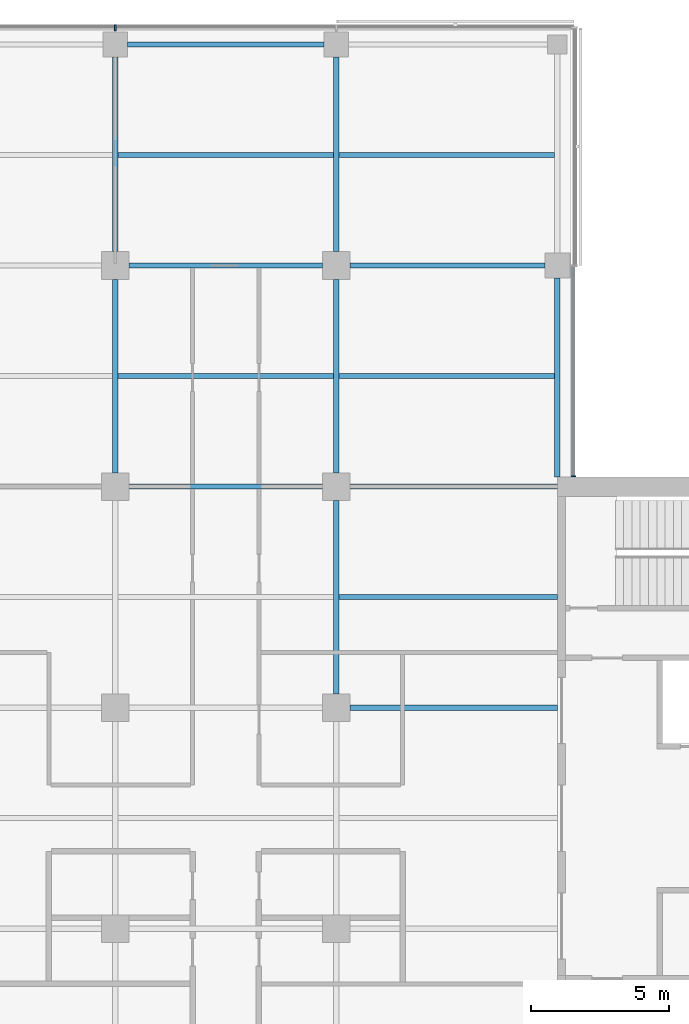
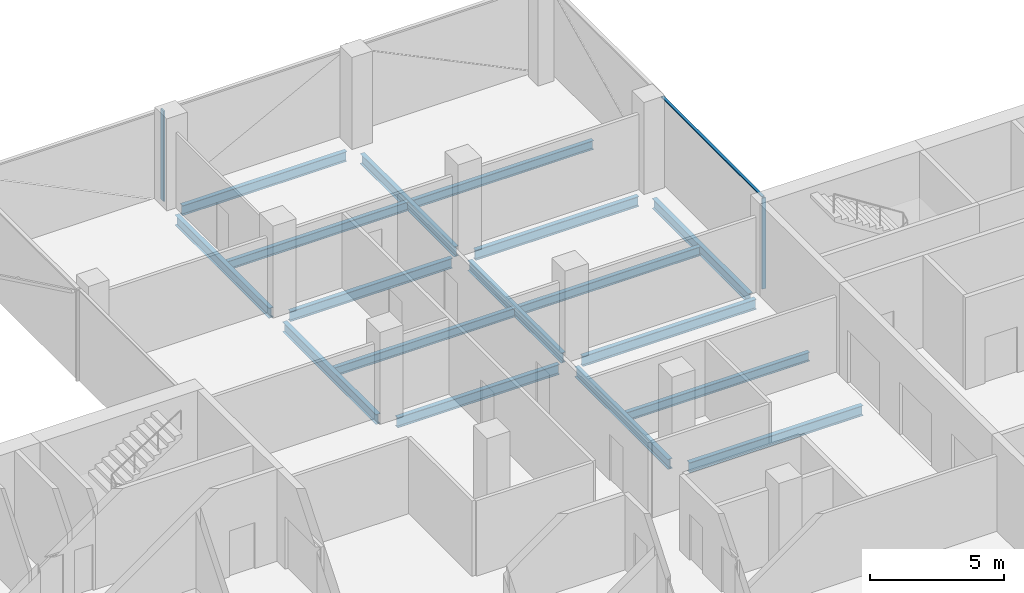
# One storey, part 9 of 22: 17 beams, 3 members, 2 elements without a shape of their own.
"""IFC4 building model written with IfcOpenShell, lengths in metres."""

from ifc_helpers import new_model, si_unit, direction, frame, origin, origin_2d, place, context, subcontext, project, spatial, rectangle, i_section, extrude, material, material_profile, profile_set, type_object, element, aggregate, save


model = new_model("IFC4")

# Units and contexts
model_context = context("Model", 3, precision=1e-05, world=origin(), true_north=direction((0.0, 1.0)))
body_context = subcontext(model_context, "Body", "Model", "MODEL_VIEW")
ifc_project = project(units=[si_unit("LENGTHUNIT", "METRE"), si_unit("AREAUNIT", "SQUARE_METRE"), si_unit("VOLUMEUNIT", "CUBIC_METRE"), si_unit("PLANEANGLEUNIT", "RADIAN"), si_unit("MASSUNIT", "GRAM", prefix="KILO")], contexts=[model_context])

# Site, building, storey
site_placement = place(None, origin())
site = spatial("IfcSite", under=ifc_project, at=site_placement, CompositionType="ELEMENT")
building_placement = place(site_placement, origin())
building = spatial("IfcBuilding", under=site, at=building_placement, Name="Crosswind Convention Tower", CompositionType="ELEMENT")
storey_placement = place(building_placement, frame((0.0, 0.0, 158.89990234375)))
storey = spatial("IfcBuildingStorey", under=building, at=storey_placement, Name="L33", CompositionType="ELEMENT", Elevation=158.89990234375)

# Beams
ifc_material_1 = material(Name="Steel S355", Category="steel")
ifc_material_profile_1 = material_profile(ifc_material_1, i_section(OverallWidth=0.18994140625, OverallDepth=0.45361328125, WebThickness=0.008544921875, FlangeThickness=0.0126953125, FilletRadius=0.01025390625, at=origin_2d()), Name="UB 457x191x67")
ifc_profile_set_1 = profile_set([ifc_material_profile_1], Name="Steel S355")
beam_type_1 = type_object("IfcBeamType", Name="Edge beam UB 457x191x67", PredefinedType="SPANDREL", material=ifc_profile_set_1)
beam_1_placement = place(storey_placement, frame((121.449951171875, 128.0, -0.526611328125), z_axis=(1.0, 0.0, 0.0), x_axis=(0.0, 1.0, 0.0)))
element("IfcBeam", 1, at=beam_1_placement, inside=storey, type_object=beam_type_1, Name="B16 L33 edge beam 13", PredefinedType="SPANDREL", context=body_context, shape_type="SweptSolid", body=[
    extrude(i_section(OverallWidth=0.18994140625, OverallDepth=0.45361328125, WebThickness=0.008544921875, FlangeThickness=0.0126953125, FilletRadius=0.01025390625, at=origin_2d()), origin(), (0.0, 0.0, 1.0), 7.10009765625),
])
beam_2_placement = place(storey_placement, frame((137.0, 112.35009765625, -0.526611328125), z_axis=(0.0, 1.0, 0.0), x_axis=(-1.0, 0.0, 0.0)))
element("IfcBeam", 2, at=beam_2_placement, inside=storey, type_object=beam_type_1, Name="B16 L33 edge beam 18", PredefinedType="SPANDREL", context=body_context, shape_type="SweptSolid", body=[
    extrude(i_section(OverallWidth=0.18994140625, OverallDepth=0.45361328125, WebThickness=0.008544921875, FlangeThickness=0.0126953125, FilletRadius=0.01025390625, at=origin_2d()), origin(), (0.0, 0.0, 1.0), 7.199951171875),
])
ifc_material_profile_2 = material_profile(ifc_material_1, i_section(OverallWidth=0.19140625, OverallDepth=0.460205078125, WebThickness=0.010009765625, FlangeThickness=0.01611328125, FilletRadius=0.01025390625, at=origin_2d()), Name="UB 457x191x82")
ifc_profile_set_2 = profile_set([ifc_material_profile_2], Name="Steel S355")
beam_type_2 = type_object("IfcBeamType", Name="Girder UB 457x191x82", PredefinedType="BEAM", material=ifc_profile_set_2)
beam_3_placement = place(storey_placement, frame((121.0, 112.5, -0.530029296875), z_axis=(0.0, 1.0, 0.0), x_axis=(-1.0, 0.0, 0.0)))
element("IfcBeam", 3, at=beam_3_placement, inside=storey, type_object=beam_type_2, Name="B3 L33 girder 8", PredefinedType="BEAM", context=body_context, shape_type="SweptSolid", body=[
    extrude(i_section(OverallWidth=0.19140625, OverallDepth=0.460205078125, WebThickness=0.010009765625, FlangeThickness=0.01611328125, FilletRadius=0.01025390625, at=origin_2d()), origin(), (0.0, 0.0, 1.0), 7.0),
])
beam_4_placement = place(storey_placement, frame((121.0, 120.5, -0.530029296875), z_axis=(0.0, 1.0, 0.0), x_axis=(-1.0, 0.0, 0.0)))
element("IfcBeam", 4, at=beam_4_placement, inside=storey, type_object=beam_type_2, Name="B3 L33 girder 9", PredefinedType="BEAM", context=body_context, shape_type="SweptSolid", body=[
    extrude(i_section(OverallWidth=0.19140625, OverallDepth=0.460205078125, WebThickness=0.010009765625, FlangeThickness=0.01611328125, FilletRadius=0.01025390625, at=origin_2d()), origin(), (0.0, 0.0, 1.0), 7.050048828125),
])
for number, where, z_axis, x_axis, name in (
    (5, (121.5, 112.0, -0.530029296875), (1.0, 0.0, 0.0), (0.0, 1.0, 0.0), "B3 L33 girder 14"),
    (6, (121.5, 120.0, -0.530029296875), (1.0, 0.0, 0.0), (0.0, 1.0, 0.0), "B3 L33 girder 15"),
    (7, (129.0, 104.5, -0.530029296875), (0.0, 1.0, 0.0), (-1.0, 0.0, 0.0), "B3 L33 girder 20"),
    (8, (129.0, 112.5, -0.530029296875), (0.0, 1.0, 0.0), (-1.0, 0.0, 0.0), "B3 L33 girder 21"),
):
    element("IfcBeam", number, at=place(storey_placement, frame(where, z_axis=z_axis, x_axis=x_axis)), inside=storey, type_object=beam_type_2, Name=name, PredefinedType="BEAM", context=body_context, shape_type="SweptSolid", body=[
        extrude(i_section(OverallWidth=0.19140625, OverallDepth=0.460205078125, WebThickness=0.010009765625, FlangeThickness=0.01611328125, FilletRadius=0.01025390625, at=origin_2d()), origin(), (0.0, 0.0, 1.0), 7.0),
    ])
for number, where, z_axis, x_axis, name in (
    (9, (129.0, 120.5, -0.530029296875), (0.0, 1.0, 0.0), (-1.0, 0.0, 0.0), "B3 L33 girder 22"),
    (10, (129.5, 120.0, -0.530029296875), (1.0, 0.0, 0.0), (0.0, 1.0, 0.0), "B3 L33 girder 24"),
):
    element("IfcBeam", number, at=place(storey_placement, frame(where, z_axis=z_axis, x_axis=x_axis)), inside=storey, type_object=beam_type_2, Name=name, PredefinedType="BEAM", context=body_context, shape_type="SweptSolid", body=[
        extrude(i_section(OverallWidth=0.19140625, OverallDepth=0.460205078125, WebThickness=0.010009765625, FlangeThickness=0.01611328125, FilletRadius=0.01025390625, at=origin_2d()), origin(), (0.0, 0.0, 1.0), 7.050048828125),
    ])
ifc_material_profile_3 = material_profile(ifc_material_1, i_section(OverallWidth=0.19189453125, OverallDepth=0.463623046875, WebThickness=0.010498046875, FlangeThickness=0.017578125, FilletRadius=0.01025390625, at=origin_2d()), Name="UB 457x191x90")
ifc_profile_set_3 = profile_set([ifc_material_profile_3], Name="Steel S355")
beam_type_3 = type_object("IfcBeamType", Name="Girder at core wall UB 457x191x90", PredefinedType="BEAM", material=ifc_profile_set_3)
for number, where, z_axis, x_axis, name in (
    (11, (129.5, 104.0, -0.53173828125), (1.0, 0.0, 0.0), (0.0, 1.0, 0.0), "B24 L33 girder at core wall 9"),
    (12, (129.5, 112.0, -0.53173828125), (1.0, 0.0, 0.0), (0.0, 1.0, 0.0), "B24 L33 girder at core wall 10"),
):
    element("IfcBeam", number, at=place(storey_placement, frame(where, z_axis=z_axis, x_axis=x_axis)), inside=storey, type_object=beam_type_3, Name=name, PredefinedType="BEAM", context=body_context, shape_type="SweptSolid", body=[
        extrude(i_section(OverallWidth=0.19189453125, OverallDepth=0.463623046875, WebThickness=0.010498046875, FlangeThickness=0.017578125, FilletRadius=0.01025390625, at=origin_2d()), origin(), (0.0, 0.0, 1.0), 7.5),
    ])

# Curtain wall, member
ifc_material_2 = material(Name="Aluminium unitised curtain wall", Category="aluminium")
curtain_wall_type_1 = type_object("IfcCurtainWallType", Name="CORE END SLOT WALL 160", PredefinedType="USERDEFINED", material=ifc_material_2)
curtain_wall_1_placement = place(storey_placement, origin())
curtain_wall_1 = element("IfcCurtainWall", 13, at=curtain_wall_1_placement, inside=storey, type_object=curtain_wall_type_1, Name="CW6 L33 N-E.1-1 slot", ObjectType="UNITISED", PredefinedType="USERDEFINED")
ifc_material_3 = material(Name="Aluminium mullion", Category="aluminium")
ifc_material_profile_4 = material_profile(ifc_material_3, rectangle(XDim=0.159912109375, YDim=0.050048828125, at=origin_2d()), Name="AL 160X50")
ifc_profile_set_4 = profile_set([ifc_material_profile_4], Name="Aluminium mullion")
member_type_1 = type_object("IfcMemberType", Name="MULLION 50X160", PredefinedType="MULLION", material=ifc_profile_set_4)
member_1_placement = place(storey_placement, frame((137.580078125, 112.375, -0.2998046875), z_axis=(0.0, 0.0, 1.0), x_axis=(1.0, 0.0, 0.0)))
member_1 = element("IfcMember", 14, at=member_1_placement, type_object=member_type_1, Name="CW6 mullion 1", PredefinedType="MULLION", context=body_context, shape_type="SweptSolid", body=[
    extrude(rectangle(XDim=0.159912109375, YDim=0.050048828125, at=origin_2d()), origin(), (0.0, 0.0, 1.0), 4.14990234375),
])

curtain_wall_type_2 = type_object("IfcCurtainWallType", Name="OFFICE UNITISED WALL 220", PredefinedType="USERDEFINED", material=ifc_material_2)
curtain_wall_2_placement = place(storey_placement, origin())
curtain_wall_2 = element("IfcCurtainWall", 15, at=curtain_wall_2_placement, inside=storey, type_object=curtain_wall_type_2, Name="CW3 L33 N-TIP 1", ObjectType="UNITISED", PredefinedType="USERDEFINED")
ifc_material_profile_5 = material_profile(ifc_material_3, rectangle(XDim=0.219970703125, YDim=0.070068359375, at=origin_2d()), Name="AL 220X70")
ifc_profile_set_5 = profile_set([ifc_material_profile_5], Name="Aluminium mullion")
member_type_2 = type_object("IfcMemberType", Name="MULLION 70X220", PredefinedType="MULLION", material=ifc_profile_set_5)
member_2_placement = place(storey_placement, frame((121.0, 128.610107421875, -0.2998046875), z_axis=(0.0, 0.0, 1.0), x_axis=(0.0, 1.0, 0.0)))
member_2 = element("IfcMember", 16, at=member_2_placement, type_object=member_type_2, Name="CW3 mullion 3", PredefinedType="MULLION", context=body_context, shape_type="SweptSolid", body=[
    extrude(rectangle(XDim=0.219970703125, YDim=0.070068359375, at=origin_2d()), origin(), (0.0, 0.0, 1.0), 4.1298828125),
])
aggregate(curtain_wall_2, [member_2])

# Beams
ifc_material_profile_6 = material_profile(ifc_material_1, i_section(OverallWidth=0.177734375, OverallDepth=0.406494140625, WebThickness=0.0078125, FlangeThickness=0.0126953125, FilletRadius=0.01025390625, at=origin_2d()), Name="UB 406x178x60")
ifc_profile_set_6 = profile_set([ifc_material_profile_6], Name="Steel S355")
beam_type_4 = type_object("IfcBeamType", Name="Secondary beam UB 406x178x60", PredefinedType="JOIST", material=ifc_profile_set_6)
for number, where, z_axis, x_axis, name in (
    (17, (121.095703125, 116.0, -0.503173828125), (1.0, 0.0, 0.0), (0.0, 1.0, 0.0), "B10 L33 secondary beam 16"),
    (18, (121.095703125, 124.0, -0.503173828125), (1.0, 0.0, 0.0), (0.0, 1.0, 0.0), "B10 L33 secondary beam 17"),
):
    element("IfcBeam", number, at=place(storey_placement, frame(where, z_axis=z_axis, x_axis=x_axis)), inside=storey, type_object=beam_type_4, Name=name, PredefinedType="JOIST", context=body_context, shape_type="SweptSolid", body=[
        extrude(i_section(OverallWidth=0.177734375, OverallDepth=0.406494140625, WebThickness=0.0078125, FlangeThickness=0.0126953125, FilletRadius=0.01025390625, at=origin_2d()), origin(), (0.0, 0.0, 1.0), 7.80859375),
    ])
beam_5_placement = place(storey_placement, frame((129.095703125, 108.0, -0.503173828125), z_axis=(1.0, 0.0, 0.0), x_axis=(0.0, 1.0, 0.0)))
element("IfcBeam", 19, at=beam_5_placement, inside=storey, type_object=beam_type_4, Name="B10 L33 secondary beam 22", PredefinedType="JOIST", context=body_context, shape_type="SweptSolid", body=[
    extrude(i_section(OverallWidth=0.177734375, OverallDepth=0.406494140625, WebThickness=0.0078125, FlangeThickness=0.0126953125, FilletRadius=0.01025390625, at=origin_2d()), origin(), (0.0, 0.0, 1.0), 7.904296875),
])
for number, where, z_axis, x_axis, name in (
    (20, (129.095703125, 116.0, -0.503173828125), (1.0, 0.0, 0.0), (0.0, 1.0, 0.0), "B10 L33 secondary beam 23"),
    (21, (129.095703125, 124.0, -0.503173828125), (1.0, 0.0, 0.0), (0.0, 1.0, 0.0), "B10 L33 secondary beam 24"),
):
    element("IfcBeam", number, at=place(storey_placement, frame(where, z_axis=z_axis, x_axis=x_axis)), inside=storey, type_object=beam_type_4, Name=name, PredefinedType="JOIST", context=body_context, shape_type="SweptSolid", body=[
        extrude(i_section(OverallWidth=0.177734375, OverallDepth=0.406494140625, WebThickness=0.0078125, FlangeThickness=0.0126953125, FilletRadius=0.01025390625, at=origin_2d()), origin(), (0.0, 0.0, 1.0), 7.809326171875),
    ])

# Member
ifc_material_4 = material(Name="Aluminium transom", Category="aluminium")
ifc_material_profile_7 = material_profile(ifc_material_4, rectangle(XDim=0.1201171875, YDim=0.050048828125, at=origin_2d()), Name="AL 120X50")
ifc_profile_set_7 = profile_set([ifc_material_profile_7], Name="Aluminium transom")
member_type_3 = type_object("IfcMemberType", Name="TRANSOM 50X120", PredefinedType="USERDEFINED", material=ifc_profile_set_7)
member_3_placement = place(storey_placement, frame((137.580078125, 112.39990234375, 3.875), z_axis=(0.0, 1.0, 0.0), x_axis=(-1.0, 0.0, 0.0)))
member_3 = element("IfcMember", 22, at=member_3_placement, type_object=member_type_3, Name="CW6 transom", ObjectType="TRANSOM", PredefinedType="USERDEFINED", context=body_context, shape_type="SweptSolid", body=[
    extrude(rectangle(XDim=0.1201171875, YDim=0.050048828125, at=origin_2d()), origin(), (0.0, 0.0, 1.0), 7.550048828125),
])

aggregate(curtain_wall_1, [member_1, member_3])

save(model, "model.ifc")
